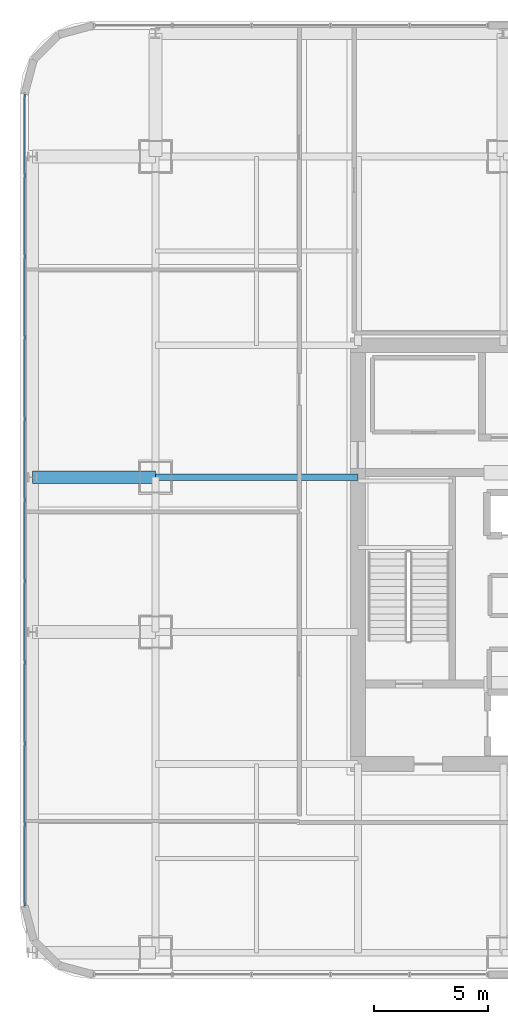
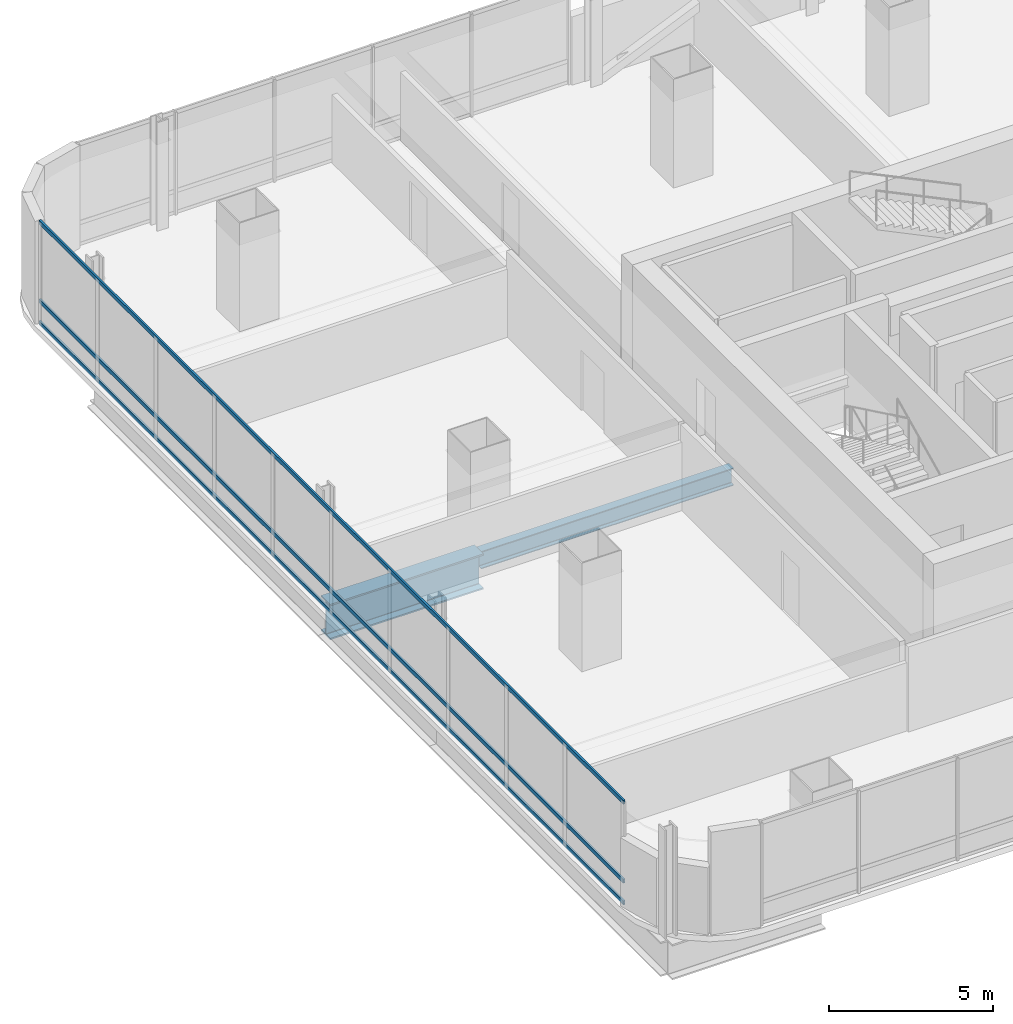
# One storey, part 11 of 38: 3 members, 2 beams, 1 element without a shape of its own.
"""IFC4 building model written with IfcOpenShell, lengths in metres."""

from ifc_helpers import new_model, si_unit, direction, frame, origin, origin_2d, place, context, subcontext, project, spatial, hollow_rectangle, i_section, extrude, material, material_profile, profile_set, type_object, element, aggregate, save


model = new_model("IFC4")

# Units and contexts
model_context = context("Model", 3, precision=1e-05, world=origin(), true_north=direction((0.0, 1.0)))
body_context = subcontext(model_context, "Body", "Model", "MODEL_VIEW")
ifc_project = project(units=[si_unit("LENGTHUNIT", "METRE"), si_unit("AREAUNIT", "SQUARE_METRE"), si_unit("VOLUMEUNIT", "CUBIC_METRE"), si_unit("PLANEANGLEUNIT", "RADIAN"), si_unit("MASSUNIT", "GRAM", prefix="KILO")], contexts=[model_context])

# Site, building, storey
site_placement = place(None, origin())
site = spatial("IfcSite", under=ifc_project, at=site_placement, CompositionType="ELEMENT")
building_placement = place(site_placement, origin())
building = spatial("IfcBuilding", under=site, at=building_placement, Name="Punatoya Terracotta Tower", CompositionType="ELEMENT")
storey_placement = place(building_placement, frame((0.0, 0.0, 156.0)))
storey = spatial("IfcBuildingStorey", under=building, at=storey_placement, Name="L36", CompositionType="ELEMENT", Elevation=156.0)

# Beams
ifc_material_1 = material(Name="Steel S355", Category="steel")
ifc_material_profile_1 = material_profile(ifc_material_1, i_section(OverallWidth=0.300048828125, OverallDepth=0.64990234375, WebThickness=0.01611328125, FlangeThickness=0.031005859375, FilletRadius=0.01806640625, at=origin_2d()))
ifc_profile_set_1 = profile_set([ifc_material_profile_1], Name="Steel S355")
beam_type_1 = type_object("IfcBeamType", Name="BM-PRI-650", PredefinedType="BEAM", material=ifc_profile_set_1)
beam_1_placement = place(storey_placement, frame((-19.10009765625, 3.39990234375, -0.544921875), z_axis=(1.0, 0.0, 0.0), x_axis=(0.0, 1.0, 0.0)))
element("IfcBeam", 1, at=beam_1_placement, inside=storey, type_object=beam_type_1, Name="BM-L36-PR-WE", PredefinedType="BEAM", context=body_context, shape_type="SweptSolid", body=[
    extrude(i_section(OverallWidth=0.300048828125, OverallDepth=0.64990234375, WebThickness=0.01611328125, FlangeThickness=0.031005859375, FilletRadius=0.01806640625, at=origin_2d()), origin(), (0.0, 0.0, 1.0), 8.900146484375),
])
ifc_material_2 = material(Name="Steel S460", Category="steel")
ifc_material_profile_2 = material_profile(ifc_material_2, i_section(OverallWidth=0.56005859375, OverallDepth=1.320068359375, WebThickness=0.035888671875, FlangeThickness=0.054931640625, FilletRadius=0.01806640625, at=origin_2d()))
ifc_profile_set_2 = profile_set([ifc_material_profile_2], Name="Steel S460")
beam_type_2 = type_object("IfcBeamType", Name="BM-TG-BLK", PredefinedType="BEAM", material=ifc_profile_set_2)
beam_2_placement = place(storey_placement, frame((-24.5, 3.39990234375, -0.8798828125), z_axis=(1.0, 0.0, 0.0), x_axis=(0.0, 1.0, 0.0)))
element("IfcBeam", 2, at=beam_2_placement, inside=storey, type_object=beam_type_2, Name="BM-L36-CANT-W3", PredefinedType="BEAM", context=body_context, shape_type="SweptSolid", body=[
    extrude(i_section(OverallWidth=0.56005859375, OverallDepth=1.320068359375, WebThickness=0.035888671875, FlangeThickness=0.054931640625, FilletRadius=0.01806640625, at=origin_2d()), origin(), (0.0, 0.0, 1.0), 5.39990234375),
])

# Curtain wall, members
ifc_material_3 = material(Name="Aluminium 6063-T6 + Double Low-E Glass", Category="aluminium")
curtain_wall_type = type_object("IfcCurtainWallType", Name="CW-M2", PredefinedType="NOTDEFINED", material=ifc_material_3)
curtain_wall_placement = place(storey_placement, origin())
curtain_wall = element("IfcCurtainWall", 3, at=curtain_wall_placement, inside=storey, type_object=curtain_wall_type, Name="L36 Curtain Wall CW-L36-W13-1", PredefinedType="NOTDEFINED")
ifc_material_4 = material(Name="Aluminium 6063-T6", Category="aluminium")
ifc_material_profile_3 = material_profile(ifc_material_4, hollow_rectangle(XDim=0.068115234375, YDim=0.14990234375, WallThickness=0.00390625, at=origin_2d()))
ifc_profile_set_3 = profile_set([ifc_material_profile_3], Name="Aluminium 6063-T6")
member_type = type_object("IfcMemberType", Name="CW-TRN-TYP", PredefinedType="USERDEFINED", material=ifc_profile_set_3)
member_1_placement = place(storey_placement, frame((-24.85009765625, 20.23681640625, 0.0400390625), z_axis=(0.0, -1.0, 0.0), x_axis=(1.0, 0.0, 0.0)))
member_1 = element("IfcMember", 4, at=member_1_placement, type_object=member_type, Name="CW-L36-W13-1 Transom 1", ObjectType="TRANSOM", PredefinedType="USERDEFINED", context=body_context, shape_type="SweptSolid", body=[
    extrude(hollow_rectangle(XDim=0.068115234375, YDim=0.14990234375, WallThickness=0.00390625, at=origin_2d()), origin(), (0.0, 0.0, 1.0), 35.673828125),
])
member_2_placement = place(storey_placement, frame((-24.85009765625, 20.23681640625, 0.85009765625), z_axis=(0.0, -1.0, 0.0), x_axis=(1.0, 0.0, 0.0)))
member_2 = element("IfcMember", 5, at=member_2_placement, type_object=member_type, Name="CW-L36-W13-1 Transom 2", ObjectType="TRANSOM", PredefinedType="USERDEFINED", context=body_context, shape_type="SweptSolid", body=[
    extrude(hollow_rectangle(XDim=0.068115234375, YDim=0.14990234375, WallThickness=0.00390625, at=origin_2d()), origin(), (0.0, 0.0, 1.0), 35.673828125),
])
member_3_placement = place(storey_placement, frame((-24.85009765625, 20.23681640625, 3.7900390625), z_axis=(0.0, -1.0, 0.0), x_axis=(1.0, 0.0, 0.0)))
member_3 = element("IfcMember", 6, at=member_3_placement, type_object=member_type, Name="CW-L36-W13-1 Transom 3", ObjectType="TRANSOM", PredefinedType="USERDEFINED", context=body_context, shape_type="SweptSolid", body=[
    extrude(hollow_rectangle(XDim=0.068115234375, YDim=0.14990234375, WallThickness=0.00390625, at=origin_2d()), origin(), (0.0, 0.0, 1.0), 35.673828125),
])
aggregate(curtain_wall, [member_1, member_2, member_3])

save(model, "model.ifc")
